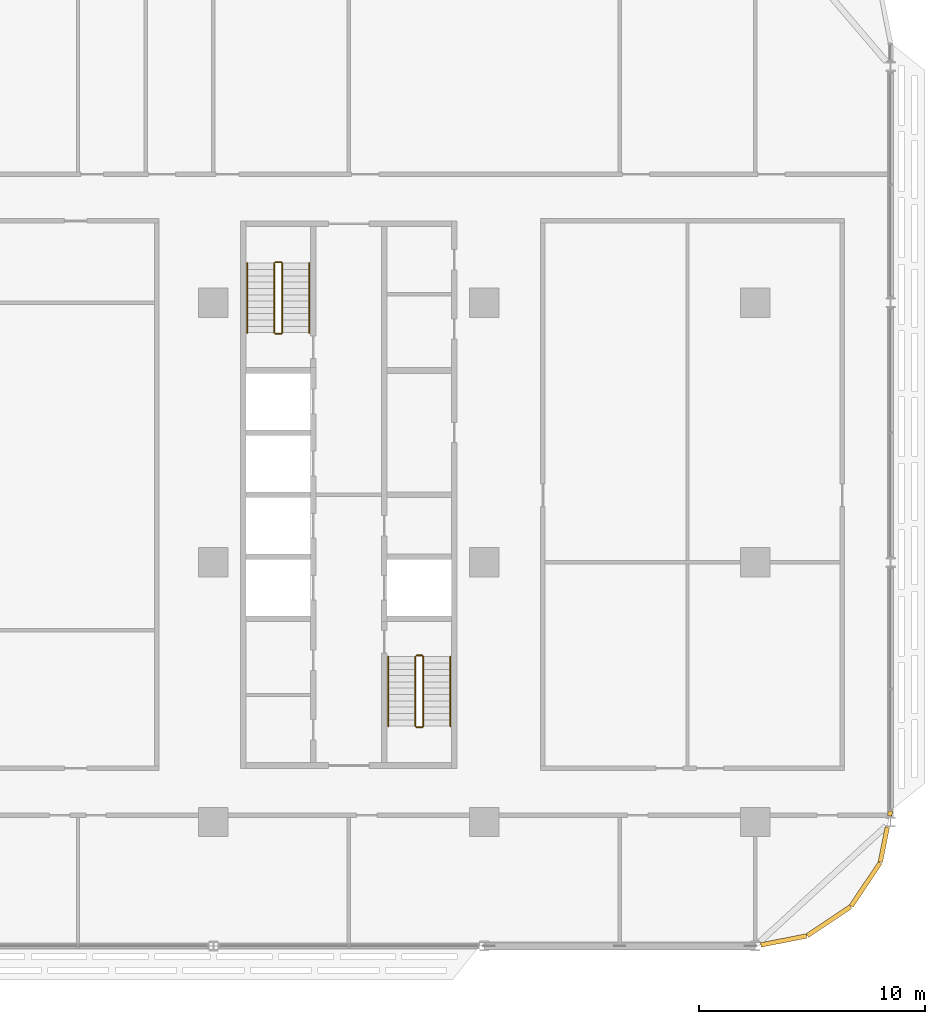
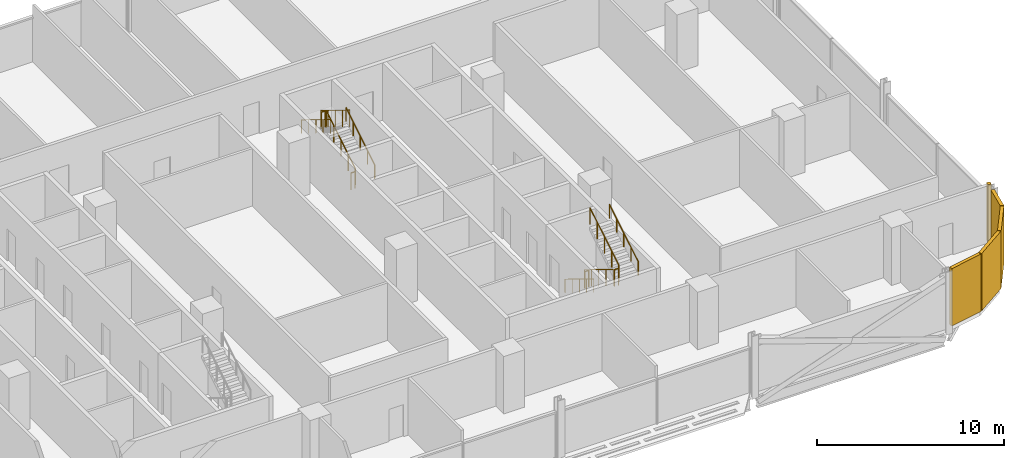
# One storey, part 27 of 28: 12 railings, 5 coverings.
"""IFC4 building model written with IfcOpenShell, lengths in metres."""

from ifc_helpers import new_model, si_unit, direction, frame, origin, origin_2d, place, context, subcontext, project, spatial, rectangle, circle, extrude, material, layer, layer_set, type_object, element, save


model = new_model("IFC4")

# Units and contexts
model_context = context("Model", 3, precision=1e-05, world=origin(), true_north=direction((0.0, 1.0)))
body_context = subcontext(model_context, "Body", "Model", "MODEL_VIEW")
ifc_project = project(units=[si_unit("LENGTHUNIT", "METRE"), si_unit("AREAUNIT", "SQUARE_METRE"), si_unit("VOLUMEUNIT", "CUBIC_METRE"), si_unit("PLANEANGLEUNIT", "RADIAN"), si_unit("MASSUNIT", "GRAM", prefix="KILO")], contexts=[model_context])

# Site, building, storey
site_placement = place(None, origin())
site = spatial("IfcSite", under=ifc_project, at=site_placement, CompositionType="ELEMENT")
building_placement = place(site_placement, origin())
building = spatial("IfcBuilding", under=site, at=building_placement, Name="Mahtab Terrace Research Tower", CompositionType="ELEMENT")
storey_placement = place(building_placement, frame((0.0, 0.0, 134.300048828125)))
storey = spatial("IfcBuildingStorey", under=building, at=storey_placement, Name="L31", CompositionType="ELEMENT", Elevation=134.300048828125)

# Coverings
ifc_material_1 = material(Name="Black aluminium cladding panel", Category="aluminium")
ifc_layer = layer(ifc_material_1, 0.199951171875)
ifc_layer_set = layer_set([ifc_layer], Name="Black metal corner cladding 200")
covering_type = type_object("IfcCoveringType", Name="Black metal corner cladding 200", PredefinedType="CLADDING", material=ifc_layer_set)
covering_1_placement = place(storey_placement, frame((43.263916015625, -16.74853515625, 0.0), z_axis=(0.0, 0.0, 1.0), x_axis=(0.980760981187, 0.195212442692, 0.0)))
element("IfcCovering", 1, at=covering_1_placement, inside=storey, type_object=covering_type, Name="Corner cladding L31 31", PredefinedType="CLADDING", context=body_context, shape_type="SweptSolid", body=[
    extrude(rectangle(XDim=2.064697265625, YDim=0.199951171875, at=origin_2d()), origin(), (0.0, 0.0, 1.0), 3.760009765625),
])
for number, where, z_axis, x_axis, name in (
    (2, (45.26953125, -15.89306640625, 0.0), (0.0, 0.0, 1.0), (0.831655794326, 0.555291490808, 0.0), "Corner cladding L31 32"),
    (3, (46.89306640625, -14.26953125, 0.0), (0.0, 0.0, 1.0), (0.555291490808, 0.831655794326, 0.0), "Corner cladding L31 33"),
):
    element("IfcCovering", number, at=place(storey_placement, frame(where, z_axis=z_axis, x_axis=x_axis)), inside=storey, type_object=covering_type, Name=name, PredefinedType="CLADDING", context=body_context, shape_type="SweptSolid", body=[
        extrude(rectangle(XDim=2.30126953125, YDim=0.199951171875, at=origin_2d()), origin(), (0.0, 0.0, 1.0), 3.760009765625),
    ])
covering_2_placement = place(storey_placement, frame((47.700439453125, -12.50439453125, 0.0), z_axis=(0.0, 0.0, 1.0), x_axis=(0.195212442692, 0.980760981187, 0.0)))
element("IfcCovering", 4, at=covering_2_placement, inside=storey, type_object=covering_type, Name="Corner cladding L31 34", PredefinedType="CLADDING", context=body_context, shape_type="SweptSolid", body=[
    extrude(rectangle(XDim=1.574462890625, YDim=0.199951171875, at=origin_2d()), origin(), (0.0, 0.0, 1.0), 3.760009765625),
])
covering_3_placement = place(storey_placement, frame((47.97607421875, -11.11962890625, 0.0), z_axis=(0.0, 0.0, 1.0), x_axis=(0.195212442692, 0.980760981187, 0.0)))
element("IfcCovering", 5, at=covering_3_placement, inside=storey, type_object=covering_type, Name="Corner cladding L31 35", PredefinedType="CLADDING", context=body_context, shape_type="SweptSolid", body=[
    extrude(rectangle(XDim=0.22412109375, YDim=0.199951171875, at=origin_2d()), origin(), (0.0, 0.0, 1.0), 3.760009765625),
])

# Railings
ifc_material_2 = material(Name="Stainless steel AISI 304", Category="steel")
railing_type_1 = type_object("IfcRailingType", Name="Stair guard 1100", PredefinedType="GUARDRAIL", material=ifc_material_2)
railing_1_placement = place(storey_placement, frame((21.050048828125, 10.175048828125, 0.1708984375)))
element("IfcRailing", 6, at=railing_1_placement, inside=storey, type_object=railing_type_1, Name="L31 ST3 stair guard 1", PredefinedType="GUARDRAIL", context=body_context, shape_type="SweptSolid", body=[
    extrude(circle(Radius=0.02392578125, at=origin_2d()), frame((0.0, 0.0, 1.076171875), z_axis=(0.0, 0.853647949592, 0.520850437417), x_axis=(-1.0, 0.0, 0.0)), (0.0, 0.0, 1.0), 3.60791015625),
    extrude(circle(Radius=0.02099609375, at=origin_2d()), origin(), (0.0, 0.0, 1.0), 1.052001953125),
    extrude(circle(Radius=0.02099609375, at=origin_2d()), frame((0.0, 0.77001953125, 0.4697265625)), (0.0, 0.0, 1.0), 1.052001953125),
    extrude(circle(Radius=0.02099609375, at=origin_2d()), frame((0.0, 1.5400390625, 0.939453125)), (0.0, 0.0, 1.0), 1.052001953125),
    extrude(circle(Radius=0.02099609375, at=origin_2d()), frame((0.0, 2.309814453125, 1.409423828125)), (0.0, 0.0, 1.0), 1.052001953125),
    extrude(circle(Radius=0.02099609375, at=origin_2d()), frame((0.0, 3.079833984375, 1.879150390625)), (0.0, 0.0, 1.0), 1.052001953125),
])
railing_2_placement = place(storey_placement, frame((21.0, 13.304931640625, 2.050048828125)))
element("IfcRailing", 7, at=railing_2_placement, inside=storey, type_object=railing_type_1, Name="L31 ST3 stair guard 2", PredefinedType="GUARDRAIL", context=body_context, shape_type="SweptSolid", body=[
    extrude(circle(Radius=0.02392578125, at=origin_2d()), frame((0.0, 0.0, 1.076171875), z_axis=(-1.0, 0.0, 0.0), x_axis=(0.0, -1.0, 0.0)), (0.0, 0.0, 1.0), 0.25),
    extrude(circle(Radius=0.02099609375, at=origin_2d()), origin(), (0.0, 0.0, 1.0), 1.052001953125),
    extrude(circle(Radius=0.02099609375, at=origin_2d()), frame((-0.25, 0.0, 0.0)), (0.0, 0.0, 1.0), 1.052001953125),
])
railing_3_placement = place(storey_placement, frame((20.699951171875, 13.2548828125, 2.220703125)))
element("IfcRailing", 8, at=railing_3_placement, inside=storey, type_object=railing_type_1, Name="L31 ST3 stair guard 3", PredefinedType="GUARDRAIL", context=body_context, shape_type="SweptSolid", body=[
    extrude(circle(Radius=0.02392578125, at=origin_2d()), frame((0.0, 0.0, 1.076171875), z_axis=(0.0, -0.853647949592, 0.520850437417), x_axis=(1.0, 0.0, 0.0)), (0.0, 0.0, 1.0), 3.60791015625),
    extrude(circle(Radius=0.02099609375, at=origin_2d()), origin(), (0.0, 0.0, 1.0), 1.052001953125),
    extrude(circle(Radius=0.02099609375, at=origin_2d()), frame((0.0, -0.77001953125, 0.4697265625)), (0.0, 0.0, 1.0), 1.052001953125),
    extrude(circle(Radius=0.02099609375, at=origin_2d()), frame((0.0, -1.5400390625, 0.939453125)), (0.0, 0.0, 1.0), 1.052001953125),
    extrude(circle(Radius=0.02099609375, at=origin_2d()), frame((0.0, -2.309814453125, 1.409423828125)), (0.0, 0.0, 1.0), 1.052001953125),
    extrude(circle(Radius=0.02099609375, at=origin_2d()), frame((0.0, -3.079833984375, 1.879150390625)), (0.0, 0.0, 1.0), 1.052001953125),
])
railing_4_placement = place(storey_placement, frame((21.0, 10.125, 0.0)))
element("IfcRailing", 9, at=railing_4_placement, inside=storey, type_object=railing_type_1, Name="L31 ST3 stair guard 4", PredefinedType="GUARDRAIL", context=body_context, shape_type="SweptSolid", body=[
    extrude(circle(Radius=0.02392578125, at=origin_2d()), frame((0.0, 0.0, 1.076171875), z_axis=(-1.0, 0.0, 0.0), x_axis=(0.0, -1.0, 0.0)), (0.0, 0.0, 1.0), 0.25),
    extrude(circle(Radius=0.02099609375, at=origin_2d()), origin(), (0.0, 0.0, 1.0), 1.052001953125),
    extrude(circle(Radius=0.02099609375, at=origin_2d()), frame((-0.25, 0.0, 0.0)), (0.0, 0.0, 1.0), 1.052001953125),
])
railing_5_placement = place(storey_placement, frame((26.949951171875, -4.175048828125, 0.1708984375)))
element("IfcRailing", 10, at=railing_5_placement, inside=storey, type_object=railing_type_1, Name="L31 ST4 stair guard 1", PredefinedType="GUARDRAIL", context=body_context, shape_type="SweptSolid", body=[
    extrude(circle(Radius=0.02392578125, at=origin_2d()), frame((0.0, 0.0, 1.076171875), z_axis=(0.0, -0.853647949592, 0.520850437417), x_axis=(1.0, 0.0, 0.0)), (0.0, 0.0, 1.0), 3.60791015625),
    extrude(circle(Radius=0.02099609375, at=origin_2d()), origin(), (0.0, 0.0, 1.0), 1.052001953125),
    extrude(circle(Radius=0.02099609375, at=origin_2d()), frame((0.0, -0.77001953125, 0.4697265625)), (0.0, 0.0, 1.0), 1.052001953125),
    extrude(circle(Radius=0.02099609375, at=origin_2d()), frame((0.0, -1.5400390625, 0.939453125)), (0.0, 0.0, 1.0), 1.052001953125),
    extrude(circle(Radius=0.02099609375, at=origin_2d()), frame((0.0, -2.309814453125, 1.409423828125)), (0.0, 0.0, 1.0), 1.052001953125),
    extrude(circle(Radius=0.02099609375, at=origin_2d()), frame((0.0, -3.079833984375, 1.879150390625)), (0.0, 0.0, 1.0), 1.052001953125),
])
railing_6_placement = place(storey_placement, frame((27.0, -7.304931640625, 2.050048828125)))
element("IfcRailing", 11, at=railing_6_placement, inside=storey, type_object=railing_type_1, Name="L31 ST4 stair guard 2", PredefinedType="GUARDRAIL", context=body_context, shape_type="SweptSolid", body=[
    extrude(circle(Radius=0.02392578125, at=origin_2d()), frame((0.0, 0.0, 1.076171875), z_axis=(1.0, 0.0, 0.0), x_axis=(0.0, 1.0, 0.0)), (0.0, 0.0, 1.0), 0.25),
    extrude(circle(Radius=0.02099609375, at=origin_2d()), origin(), (0.0, 0.0, 1.0), 1.052001953125),
    extrude(circle(Radius=0.02099609375, at=origin_2d()), frame((0.25, 0.0, 0.0)), (0.0, 0.0, 1.0), 1.052001953125),
])
railing_7_placement = place(storey_placement, frame((27.300048828125, -7.2548828125, 2.220703125)))
element("IfcRailing", 12, at=railing_7_placement, inside=storey, type_object=railing_type_1, Name="L31 ST4 stair guard 3", PredefinedType="GUARDRAIL", context=body_context, shape_type="SweptSolid", body=[
    extrude(circle(Radius=0.02392578125, at=origin_2d()), frame((0.0, 0.0, 1.076171875), z_axis=(0.0, 0.853647949592, 0.520850437417), x_axis=(-1.0, 0.0, 0.0)), (0.0, 0.0, 1.0), 3.60791015625),
    extrude(circle(Radius=0.02099609375, at=origin_2d()), origin(), (0.0, 0.0, 1.0), 1.052001953125),
    extrude(circle(Radius=0.02099609375, at=origin_2d()), frame((0.0, 0.77001953125, 0.4697265625)), (0.0, 0.0, 1.0), 1.052001953125),
    extrude(circle(Radius=0.02099609375, at=origin_2d()), frame((0.0, 1.5400390625, 0.939453125)), (0.0, 0.0, 1.0), 1.052001953125),
    extrude(circle(Radius=0.02099609375, at=origin_2d()), frame((0.0, 2.309814453125, 1.409423828125)), (0.0, 0.0, 1.0), 1.052001953125),
    extrude(circle(Radius=0.02099609375, at=origin_2d()), frame((0.0, 3.079833984375, 1.879150390625)), (0.0, 0.0, 1.0), 1.052001953125),
])
railing_8_placement = place(storey_placement, frame((27.0, -4.125, 0.0)))
element("IfcRailing", 13, at=railing_8_placement, inside=storey, type_object=railing_type_1, Name="L31 ST4 stair guard 4", PredefinedType="GUARDRAIL", context=body_context, shape_type="SweptSolid", body=[
    extrude(circle(Radius=0.02392578125, at=origin_2d()), frame((0.0, 0.0, 1.076171875), z_axis=(1.0, 0.0, 0.0), x_axis=(0.0, 1.0, 0.0)), (0.0, 0.0, 1.0), 0.25),
    extrude(circle(Radius=0.02099609375, at=origin_2d()), origin(), (0.0, 0.0, 1.0), 1.052001953125),
    extrude(circle(Radius=0.02099609375, at=origin_2d()), frame((0.25, 0.0, 0.0)), (0.0, 0.0, 1.0), 1.052001953125),
])
railing_type_2 = type_object("IfcRailingType", Name="Stair handrail 900", PredefinedType="HANDRAIL", material=ifc_material_2)
railing_9_placement = place(storey_placement, frame((22.25, 10.175048828125, 0.1708984375)))
element("IfcRailing", 14, at=railing_9_placement, inside=storey, type_object=railing_type_2, Name="L31 ST3 stair handrail 1", PredefinedType="HANDRAIL", context=body_context, shape_type="SweptSolid", body=[
    extrude(circle(Radius=0.02392578125, at=origin_2d()), frame((0.0, 0.0, 0.8759765625), z_axis=(0.0, 0.853647949592, 0.520850437417), x_axis=(-1.0, 0.0, 0.0)), (0.0, 0.0, 1.0), 3.60791015625),
    extrude(circle(Radius=0.02099609375, at=origin_2d()), origin(), (0.0, 0.0, 1.0), 0.851806640625),
    extrude(circle(Radius=0.02099609375, at=origin_2d()), frame((0.0, 0.77001953125, 0.4697265625)), (0.0, 0.0, 1.0), 0.851806640625),
    extrude(circle(Radius=0.02099609375, at=origin_2d()), frame((0.0, 1.5400390625, 0.939453125)), (0.0, 0.0, 1.0), 0.851806640625),
    extrude(circle(Radius=0.02099609375, at=origin_2d()), frame((0.0, 2.309814453125, 1.409423828125)), (0.0, 0.0, 1.0), 0.851806640625),
    extrude(circle(Radius=0.02099609375, at=origin_2d()), frame((0.0, 3.079833984375, 1.879150390625)), (0.0, 0.0, 1.0), 0.851806640625),
])
for number, where, name in (
    (15, (19.5, 13.2548828125, 2.220703125), "L31 ST3 stair handrail 2"),
    (16, (25.75, -4.175048828125, 0.1708984375), "L31 ST4 stair handrail 1"),
):
    element("IfcRailing", number, at=place(storey_placement, frame(where)), inside=storey, type_object=railing_type_2, Name=name, PredefinedType="HANDRAIL", context=body_context, shape_type="SweptSolid", body=[
        extrude(circle(Radius=0.02392578125, at=origin_2d()), frame((0.0, 0.0, 0.8759765625), z_axis=(0.0, -0.853647949592, 0.520850437417), x_axis=(1.0, 0.0, 0.0)), (0.0, 0.0, 1.0), 3.60791015625),
        extrude(circle(Radius=0.02099609375, at=origin_2d()), origin(), (0.0, 0.0, 1.0), 0.851806640625),
        extrude(circle(Radius=0.02099609375, at=origin_2d()), frame((0.0, -0.77001953125, 0.4697265625)), (0.0, 0.0, 1.0), 0.851806640625),
        extrude(circle(Radius=0.02099609375, at=origin_2d()), frame((0.0, -1.5400390625, 0.939453125)), (0.0, 0.0, 1.0), 0.851806640625),
        extrude(circle(Radius=0.02099609375, at=origin_2d()), frame((0.0, -2.309814453125, 1.409423828125)), (0.0, 0.0, 1.0), 0.851806640625),
        extrude(circle(Radius=0.02099609375, at=origin_2d()), frame((0.0, -3.079833984375, 1.879150390625)), (0.0, 0.0, 1.0), 0.851806640625),
    ])
railing_10_placement = place(storey_placement, frame((28.5, -7.2548828125, 2.220703125)))
element("IfcRailing", 17, at=railing_10_placement, inside=storey, type_object=railing_type_2, Name="L31 ST4 stair handrail 2", PredefinedType="HANDRAIL", context=body_context, shape_type="SweptSolid", body=[
    extrude(circle(Radius=0.02392578125, at=origin_2d()), frame((0.0, 0.0, 0.8759765625), z_axis=(0.0, 0.853647949592, 0.520850437417), x_axis=(-1.0, 0.0, 0.0)), (0.0, 0.0, 1.0), 3.60791015625),
    extrude(circle(Radius=0.02099609375, at=origin_2d()), origin(), (0.0, 0.0, 1.0), 0.851806640625),
    extrude(circle(Radius=0.02099609375, at=origin_2d()), frame((0.0, 0.77001953125, 0.4697265625)), (0.0, 0.0, 1.0), 0.851806640625),
    extrude(circle(Radius=0.02099609375, at=origin_2d()), frame((0.0, 1.5400390625, 0.939453125)), (0.0, 0.0, 1.0), 0.851806640625),
    extrude(circle(Radius=0.02099609375, at=origin_2d()), frame((0.0, 2.309814453125, 1.409423828125)), (0.0, 0.0, 1.0), 0.851806640625),
    extrude(circle(Radius=0.02099609375, at=origin_2d()), frame((0.0, 3.079833984375, 1.879150390625)), (0.0, 0.0, 1.0), 0.851806640625),
])

save(model, "model.ifc")
